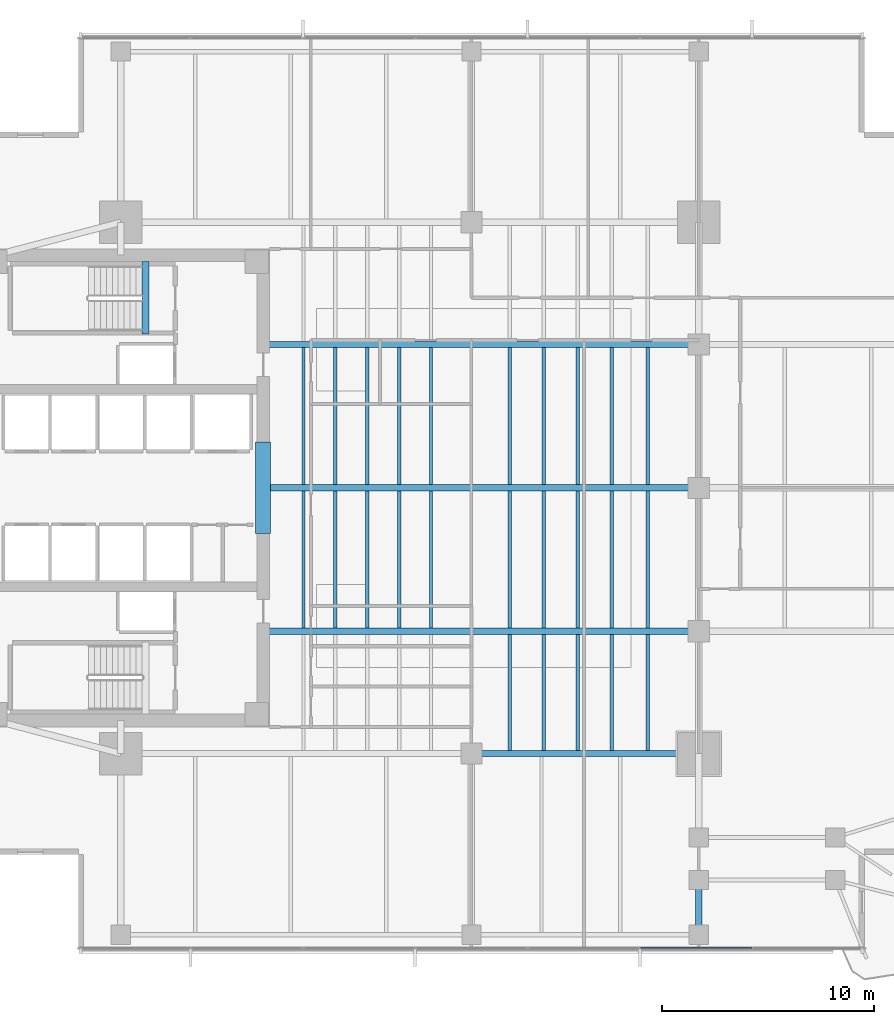
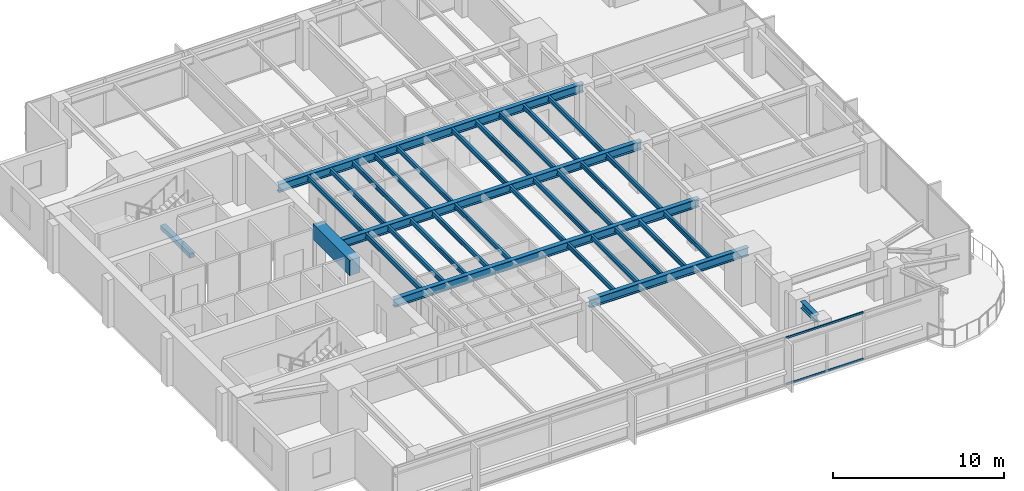
# One storey, part 3 of 14: 32 beams, 2 members, 1 element without a shape of its own.
"""IFC4 building model written with IfcOpenShell, lengths in metres."""

from ifc_helpers import new_model, si_unit, direction, frame, origin, origin_2d, place, context, subcontext, project, spatial, rectangle, i_section, extrude, material, layer, layer_set, material_profile, profile_set, type_object, element, aggregate, save


model = new_model("IFC4")

# Units and contexts
model_context = context("Model", 3, precision=1e-05, world=origin(), true_north=direction((0.0, 1.0)))
body_context = subcontext(model_context, "Body", "Model", "MODEL_VIEW")
ifc_project = project(units=[si_unit("LENGTHUNIT", "METRE"), si_unit("AREAUNIT", "SQUARE_METRE"), si_unit("VOLUMEUNIT", "CUBIC_METRE"), si_unit("PLANEANGLEUNIT", "RADIAN"), si_unit("MASSUNIT", "GRAM", prefix="KILO")], contexts=[model_context])

# Site, building, storey
site_placement = place(None, origin())
site = spatial("IfcSite", under=ifc_project, at=site_placement, CompositionType="ELEMENT")
building_placement = place(site_placement, origin())
building = spatial("IfcBuilding", under=site, at=building_placement, Name="Kinhvarn Gate Tower", CompositionType="ELEMENT")
storey_placement = place(building_placement, frame((0.0, 0.0, 116.449951171875)))
storey = spatial("IfcBuildingStorey", under=building, at=storey_placement, Name="L30", CompositionType="ELEMENT", Elevation=116.449951171875)

# Beams
ifc_material_1 = material(Name="Concrete C70/85", Category="concrete")
ifc_material_profile_1 = material_profile(ifc_material_1, rectangle(XDim=0.699951171875, YDim=1.10009765625, at=origin_2d()), Name="RC 700x1100")
ifc_profile_set_1 = profile_set([ifc_material_profile_1], Name="Concrete C70/85")
beam_type_1 = type_object("IfcBeamType", Name="BM-CB-1100", PredefinedType="LINTEL", material=ifc_profile_set_1)
beam_1_placement = place(storey_placement, frame((17.699951171875, 23.10009765625, 2.820068359375), z_axis=(0.0, 1.0, 0.0), x_axis=(-1.0, 0.0, 0.0)))
element("IfcBeam", 1, at=beam_1_placement, inside=storey, type_object=beam_type_1, Name="Core East Portal Coupling Beam L30", PredefinedType="LINTEL", context=body_context, shape_type="SweptSolid", body=[
    extrude(rectangle(XDim=0.699951171875, YDim=1.10009765625, at=origin_2d()), origin(), (0.0, 0.0, 1.0), 4.2998046875),
])
ifc_material_2 = material(Name="Concrete C50/60", Category="concrete")
ifc_material_profile_2 = material_profile(ifc_material_2, rectangle(XDim=0.340087890625, YDim=0.320068359375, at=origin_2d()), Name="RC 340x320")
ifc_profile_set_2 = profile_set([ifc_material_profile_2], Name="Concrete C50/60")
beam_type_2 = type_object("IfcBeamType", Name="BM-LND-500", PredefinedType="BEAM", material=ifc_profile_set_2)
beam_2_placement = place(storey_placement, frame((12.1650390625, 32.5, -0.159912109375), z_axis=(0.0, 1.0, 0.0), x_axis=(-1.0, 0.0, 0.0)))
element("IfcBeam", 2, at=beam_2_placement, inside=storey, type_object=beam_type_2, Name="Stair ST2 Landing Nosing Beam (L30)", PredefinedType="BEAM", context=body_context, shape_type="SweptSolid", body=[
    extrude(rectangle(XDim=0.340087890625, YDim=0.320068359375, at=origin_2d()), origin(), (0.0, 0.0, 1.0), 3.39990234375),
])

# Curtain wall, members
ifc_material_3 = material(Name="Anodised aluminium AW-6063", Category="aluminium")
ifc_layer = layer(ifc_material_3, 0.179931640625)
ifc_layer_set = layer_set([ifc_layer], Name="Anodised aluminium AW-6063")
curtain_wall_type = type_object("IfcCurtainWallType", Name="CW-SYS-3", PredefinedType="NOTDEFINED", material=ifc_layer_set)
curtain_wall_placement = place(storey_placement, origin())
curtain_wall = element("IfcCurtainWall", 3, at=curtain_wall_placement, inside=storey, type_object=curtain_wall_type, Name="Curtain Wall CW3 (L30)", PredefinedType="NOTDEFINED")
ifc_material_profile_3 = material_profile(ifc_material_3, rectangle(XDim=0.070068359375, YDim=0.139892578125, at=origin_2d()), Name="ALU 70x140")
ifc_profile_set_3 = profile_set([ifc_material_profile_3], Name="Anodised aluminium AW-6063")
member_type = type_object("IfcMemberType", Name="CW-TRN-140", PredefinedType="USERDEFINED", material=ifc_profile_set_3)
member_1_placement = place(storey_placement, frame((35.461181640625, 3.590087890625, 0.03515625), z_axis=(1.0, 0.0, 0.0), x_axis=(0.0, 1.0, 0.0)))
member_1 = element("IfcMember", 4, at=member_1_placement, type_object=member_type, Name="CW3 transom 6.1", ObjectType="TRANSOM", PredefinedType="USERDEFINED", context=body_context, shape_type="SweptSolid", body=[
    extrude(rectangle(XDim=0.070068359375, YDim=0.139892578125, at=origin_2d()), origin(), (0.0, 0.0, 1.0), 5.220703125),
])
member_2_placement = place(storey_placement, frame((35.461181640625, 3.590087890625, 3.3349609375), z_axis=(1.0, 0.0, 0.0), x_axis=(0.0, 1.0, 0.0)))
member_2 = element("IfcMember", 5, at=member_2_placement, type_object=member_type, Name="CW3 transom 6.2", ObjectType="TRANSOM", PredefinedType="USERDEFINED", context=body_context, shape_type="SweptSolid", body=[
    extrude(rectangle(XDim=0.070068359375, YDim=0.139892578125, at=origin_2d()), origin(), (0.0, 0.0, 1.0), 5.220703125),
])
aggregate(curtain_wall, [member_1, member_2])

# Beams
ifc_material_4 = material(Name="Steel S355", Category="steel")
ifc_material_profile_4 = material_profile(ifc_material_4, i_section(OverallWidth=0.300048828125, OverallDepth=0.5, WebThickness=0.014404296875, FlangeThickness=0.028076171875, at=origin_2d()), Name="HEB 500")
ifc_profile_set_4 = profile_set([ifc_material_profile_4], Name="Steel S355")
beam_type_3 = type_object("IfcBeamType", Name="STL-HEB500", PredefinedType="BEAM", material=ifc_profile_set_4)
beam_3_placement = place(storey_placement, frame((38.199951171875, 4.655029296875, 3.1201171875), z_axis=(0.0, 1.0, 0.0), x_axis=(-1.0, 0.0, 0.0)))
element("IfcBeam", 6, at=beam_3_placement, inside=storey, type_object=beam_type_3, Name="Floor Beam PG-14 (L30 MCE-S-A0)", PredefinedType="BEAM", context=body_context, shape_type="SweptSolid", body=[
    extrude(i_section(OverallWidth=0.300048828125, OverallDepth=0.5, WebThickness=0.014404296875, FlangeThickness=0.028076171875, at=origin_2d()), origin(), (0.0, 0.0, 1.0), 1.7099609375),
])
ifc_material_profile_5 = material_profile(ifc_material_4, i_section(OverallWidth=0.300048828125, OverallDepth=0.60009765625, WebThickness=0.015380859375, FlangeThickness=0.030029296875, at=origin_2d()), Name="HEB 600")
ifc_profile_set_5 = profile_set([ifc_material_profile_5], Name="Steel S355")
beam_type_4 = type_object("IfcBeamType", Name="STL-HEB600", PredefinedType="BEAM", material=ifc_profile_set_5)
beam_4_placement = place(storey_placement, frame((27.5, 12.75, 3.070068359375), z_axis=(1.0, 0.0, 0.0), x_axis=(0.0, 1.0, 0.0)))
element("IfcBeam", 7, at=beam_4_placement, inside=storey, type_object=beam_type_4, Name="Floor Beam PG-16 (L30 MG-S2)", PredefinedType="BEAM", context=body_context, shape_type="SweptSolid", body=[
    extrude(i_section(OverallWidth=0.300048828125, OverallDepth=0.60009765625, WebThickness=0.015380859375, FlangeThickness=0.030029296875, at=origin_2d()), origin(), (0.0, 0.0, 1.0), 10.699951171875),
])
beam_5_placement = place(storey_placement, frame((17.64990234375, 18.5, 3.070068359375), z_axis=(1.0, 0.0, 0.0), x_axis=(0.0, 1.0, 0.0)))
element("IfcBeam", 8, at=beam_5_placement, inside=storey, type_object=beam_type_4, Name="Floor Beam PG-16 (L30 EW1-Y18)", PredefinedType="BEAM", context=body_context, shape_type="SweptSolid", body=[
    extrude(i_section(OverallWidth=0.300048828125, OverallDepth=0.60009765625, WebThickness=0.015380859375, FlangeThickness=0.030029296875, at=origin_2d()), origin(), (0.0, 0.0, 1.0), 20.550048828125),
])
beam_6_placement = place(storey_placement, frame((18.050048828125, 25.25, 3.070068359375), z_axis=(1.0, 0.0, 0.0), x_axis=(0.0, 1.0, 0.0)))
element("IfcBeam", 9, at=beam_6_placement, inside=storey, type_object=beam_type_4, Name="Floor Beam PG-16 (L30 EW1-Y25)", PredefinedType="BEAM", context=body_context, shape_type="SweptSolid", body=[
    extrude(i_section(OverallWidth=0.300048828125, OverallDepth=0.60009765625, WebThickness=0.015380859375, FlangeThickness=0.030029296875, at=origin_2d()), origin(), (0.0, 0.0, 1.0), 20.14990234375),
])
beam_7_placement = place(storey_placement, frame((17.64990234375, 32.0, 3.070068359375), z_axis=(1.0, 0.0, 0.0), x_axis=(0.0, 1.0, 0.0)))
element("IfcBeam", 10, at=beam_7_placement, inside=storey, type_object=beam_type_4, Name="Floor Beam PG-16 (L30 EW1-Y32)", PredefinedType="BEAM", context=body_context, shape_type="SweptSolid", body=[
    extrude(i_section(OverallWidth=0.300048828125, OverallDepth=0.60009765625, WebThickness=0.015380859375, FlangeThickness=0.030029296875, at=origin_2d()), origin(), (0.0, 0.0, 1.0), 20.550048828125),
])
ifc_material_profile_6 = material_profile(ifc_material_4, i_section(OverallWidth=0.159912109375, OverallDepth=0.330078125, WebThickness=0.007568359375, FlangeThickness=0.011474609375, at=origin_2d()), Name="IPE 330")
ifc_profile_set_6 = profile_set([ifc_material_profile_6], Name="Steel S355")
beam_type_5 = type_object("IfcBeamType", Name="STL-IPE330", PredefinedType="JOIST", material=ifc_profile_set_6)
for number, where, z_axis, x_axis, name in (
    (11, (19.60009765625, 18.64990234375, 3.205078125), (0.0, 1.0, 0.0), (-1.0, 0.0, 0.0), "Floor Joist SB-03 (L30 JC-X196-1)"),
    (12, (19.60009765625, 25.39990234375, 3.205078125), (0.0, 1.0, 0.0), (-1.0, 0.0, 0.0), "Floor Joist SB-03 (L30 JC-X196-2)"),
    (13, (21.10009765625, 18.64990234375, 3.205078125), (0.0, 1.0, 0.0), (-1.0, 0.0, 0.0), "Floor Joist SB-03 (L30 JC-X211-1)"),
    (14, (21.10009765625, 25.39990234375, 3.205078125), (0.0, 1.0, 0.0), (-1.0, 0.0, 0.0), "Floor Joist SB-03 (L30 JC-X211-2)"),
    (15, (22.60009765625, 18.64990234375, 3.205078125), (0.0, 1.0, 0.0), (-1.0, 0.0, 0.0), "Floor Joist SB-03 (L30 JC-X226-1)"),
    (16, (22.60009765625, 25.39990234375, 3.205078125), (0.0, 1.0, 0.0), (-1.0, 0.0, 0.0), "Floor Joist SB-03 (L30 JC-X226-2)"),
    (17, (24.10009765625, 18.64990234375, 3.205078125), (0.0, 1.0, 0.0), (-1.0, 0.0, 0.0), "Floor Joist SB-03 (L30 JC-X241-1)"),
    (18, (24.10009765625, 25.39990234375, 3.205078125), (0.0, 1.0, 0.0), (-1.0, 0.0, 0.0), "Floor Joist SB-03 (L30 JC-X241-2)"),
    (19, (25.60009765625, 18.64990234375, 3.205078125), (0.0, 1.0, 0.0), (-1.0, 0.0, 0.0), "Floor Joist SB-03 (L30 JC-X256-1)"),
    (20, (25.60009765625, 25.39990234375, 3.205078125), (0.0, 1.0, 0.0), (-1.0, 0.0, 0.0), "Floor Joist SB-03 (L30 JC-X256-2)"),
):
    element("IfcBeam", number, at=place(storey_placement, frame(where, z_axis=z_axis, x_axis=x_axis)), inside=storey, type_object=beam_type_5, Name=name, PredefinedType="JOIST", context=body_context, shape_type="SweptSolid", body=[
        extrude(i_section(OverallWidth=0.159912109375, OverallDepth=0.330078125, WebThickness=0.007568359375, FlangeThickness=0.011474609375, at=origin_2d()), origin(), (0.0, 0.0, 1.0), 6.4501953125),
    ])
beam_8_placement = place(storey_placement, frame((29.300048828125, 12.89990234375, 3.205078125), z_axis=(0.0, 1.0, 0.0), x_axis=(-1.0, 0.0, 0.0)))
element("IfcBeam", 21, at=beam_8_placement, inside=storey, type_object=beam_type_5, Name="Floor Joist SB-03 (L30 JC-X293-0)", PredefinedType="JOIST", context=body_context, shape_type="SweptSolid", body=[
    extrude(i_section(OverallWidth=0.159912109375, OverallDepth=0.330078125, WebThickness=0.007568359375, FlangeThickness=0.011474609375, at=origin_2d()), origin(), (0.0, 0.0, 1.0), 5.4501953125),
])
for number, where, z_axis, x_axis, name in (
    (22, (29.300048828125, 18.64990234375, 3.205078125), (0.0, 1.0, 0.0), (-1.0, 0.0, 0.0), "Floor Joist SB-03 (L30 JC-X293-1)"),
    (23, (29.300048828125, 25.39990234375, 3.205078125), (0.0, 1.0, 0.0), (-1.0, 0.0, 0.0), "Floor Joist SB-03 (L30 JC-X293-2)"),
):
    element("IfcBeam", number, at=place(storey_placement, frame(where, z_axis=z_axis, x_axis=x_axis)), inside=storey, type_object=beam_type_5, Name=name, PredefinedType="JOIST", context=body_context, shape_type="SweptSolid", body=[
        extrude(i_section(OverallWidth=0.159912109375, OverallDepth=0.330078125, WebThickness=0.007568359375, FlangeThickness=0.011474609375, at=origin_2d()), origin(), (0.0, 0.0, 1.0), 6.4501953125),
    ])
beam_9_placement = place(storey_placement, frame((30.89990234375, 12.89990234375, 3.205078125), z_axis=(0.0, 1.0, 0.0), x_axis=(-1.0, 0.0, 0.0)))
element("IfcBeam", 24, at=beam_9_placement, inside=storey, type_object=beam_type_5, Name="Floor Joist SB-03 (L30 JC-X309-0)", PredefinedType="JOIST", context=body_context, shape_type="SweptSolid", body=[
    extrude(i_section(OverallWidth=0.159912109375, OverallDepth=0.330078125, WebThickness=0.007568359375, FlangeThickness=0.011474609375, at=origin_2d()), origin(), (0.0, 0.0, 1.0), 5.4501953125),
])
for number, where, z_axis, x_axis, name in (
    (25, (30.89990234375, 18.64990234375, 3.205078125), (0.0, 1.0, 0.0), (-1.0, 0.0, 0.0), "Floor Joist SB-03 (L30 JC-X309-1)"),
    (26, (30.89990234375, 25.39990234375, 3.205078125), (0.0, 1.0, 0.0), (-1.0, 0.0, 0.0), "Floor Joist SB-03 (L30 JC-X309-2)"),
):
    element("IfcBeam", number, at=place(storey_placement, frame(where, z_axis=z_axis, x_axis=x_axis)), inside=storey, type_object=beam_type_5, Name=name, PredefinedType="JOIST", context=body_context, shape_type="SweptSolid", body=[
        extrude(i_section(OverallWidth=0.159912109375, OverallDepth=0.330078125, WebThickness=0.007568359375, FlangeThickness=0.011474609375, at=origin_2d()), origin(), (0.0, 0.0, 1.0), 6.4501953125),
    ])
beam_10_placement = place(storey_placement, frame((32.5, 12.89990234375, 3.205078125), z_axis=(0.0, 1.0, 0.0), x_axis=(-1.0, 0.0, 0.0)))
element("IfcBeam", 27, at=beam_10_placement, inside=storey, type_object=beam_type_5, Name="Floor Joist SB-03 (L30 JC-X325-0)", PredefinedType="JOIST", context=body_context, shape_type="SweptSolid", body=[
    extrude(i_section(OverallWidth=0.159912109375, OverallDepth=0.330078125, WebThickness=0.007568359375, FlangeThickness=0.011474609375, at=origin_2d()), origin(), (0.0, 0.0, 1.0), 5.4501953125),
])
for number, where, z_axis, x_axis, name in (
    (28, (32.5, 18.64990234375, 3.205078125), (0.0, 1.0, 0.0), (-1.0, 0.0, 0.0), "Floor Joist SB-03 (L30 JC-X325-1)"),
    (29, (32.5, 25.39990234375, 3.205078125), (0.0, 1.0, 0.0), (-1.0, 0.0, 0.0), "Floor Joist SB-03 (L30 JC-X325-2)"),
):
    element("IfcBeam", number, at=place(storey_placement, frame(where, z_axis=z_axis, x_axis=x_axis)), inside=storey, type_object=beam_type_5, Name=name, PredefinedType="JOIST", context=body_context, shape_type="SweptSolid", body=[
        extrude(i_section(OverallWidth=0.159912109375, OverallDepth=0.330078125, WebThickness=0.007568359375, FlangeThickness=0.011474609375, at=origin_2d()), origin(), (0.0, 0.0, 1.0), 6.4501953125),
    ])
beam_11_placement = place(storey_placement, frame((34.10009765625, 12.89990234375, 3.205078125), z_axis=(0.0, 1.0, 0.0), x_axis=(-1.0, 0.0, 0.0)))
element("IfcBeam", 30, at=beam_11_placement, inside=storey, type_object=beam_type_5, Name="Floor Joist SB-03 (L30 JC-X341-0)", PredefinedType="JOIST", context=body_context, shape_type="SweptSolid", body=[
    extrude(i_section(OverallWidth=0.159912109375, OverallDepth=0.330078125, WebThickness=0.007568359375, FlangeThickness=0.011474609375, at=origin_2d()), origin(), (0.0, 0.0, 1.0), 5.4501953125),
])
for number, where, z_axis, x_axis, name in (
    (31, (34.10009765625, 18.64990234375, 3.205078125), (0.0, 1.0, 0.0), (-1.0, 0.0, 0.0), "Floor Joist SB-03 (L30 JC-X341-1)"),
    (32, (34.10009765625, 25.39990234375, 3.205078125), (0.0, 1.0, 0.0), (-1.0, 0.0, 0.0), "Floor Joist SB-03 (L30 JC-X341-2)"),
):
    element("IfcBeam", number, at=place(storey_placement, frame(where, z_axis=z_axis, x_axis=x_axis)), inside=storey, type_object=beam_type_5, Name=name, PredefinedType="JOIST", context=body_context, shape_type="SweptSolid", body=[
        extrude(i_section(OverallWidth=0.159912109375, OverallDepth=0.330078125, WebThickness=0.007568359375, FlangeThickness=0.011474609375, at=origin_2d()), origin(), (0.0, 0.0, 1.0), 6.4501953125),
    ])
beam_12_placement = place(storey_placement, frame((35.800048828125, 12.89990234375, 3.205078125), z_axis=(0.0, 1.0, 0.0), x_axis=(-1.0, 0.0, 0.0)))
element("IfcBeam", 33, at=beam_12_placement, inside=storey, type_object=beam_type_5, Name="Floor Joist SB-03 (L30 JC-X358-0)", PredefinedType="JOIST", context=body_context, shape_type="SweptSolid", body=[
    extrude(i_section(OverallWidth=0.159912109375, OverallDepth=0.330078125, WebThickness=0.007568359375, FlangeThickness=0.011474609375, at=origin_2d()), origin(), (0.0, 0.0, 1.0), 5.4501953125),
])
for number, where, z_axis, x_axis, name in (
    (34, (35.800048828125, 18.64990234375, 3.205078125), (0.0, 1.0, 0.0), (-1.0, 0.0, 0.0), "Floor Joist SB-03 (L30 JC-X358-1)"),
    (35, (35.800048828125, 25.39990234375, 3.205078125), (0.0, 1.0, 0.0), (-1.0, 0.0, 0.0), "Floor Joist SB-03 (L30 JC-X358-2)"),
):
    element("IfcBeam", number, at=place(storey_placement, frame(where, z_axis=z_axis, x_axis=x_axis)), inside=storey, type_object=beam_type_5, Name=name, PredefinedType="JOIST", context=body_context, shape_type="SweptSolid", body=[
        extrude(i_section(OverallWidth=0.159912109375, OverallDepth=0.330078125, WebThickness=0.007568359375, FlangeThickness=0.011474609375, at=origin_2d()), origin(), (0.0, 0.0, 1.0), 6.4501953125),
    ])

save(model, "model.ifc")
